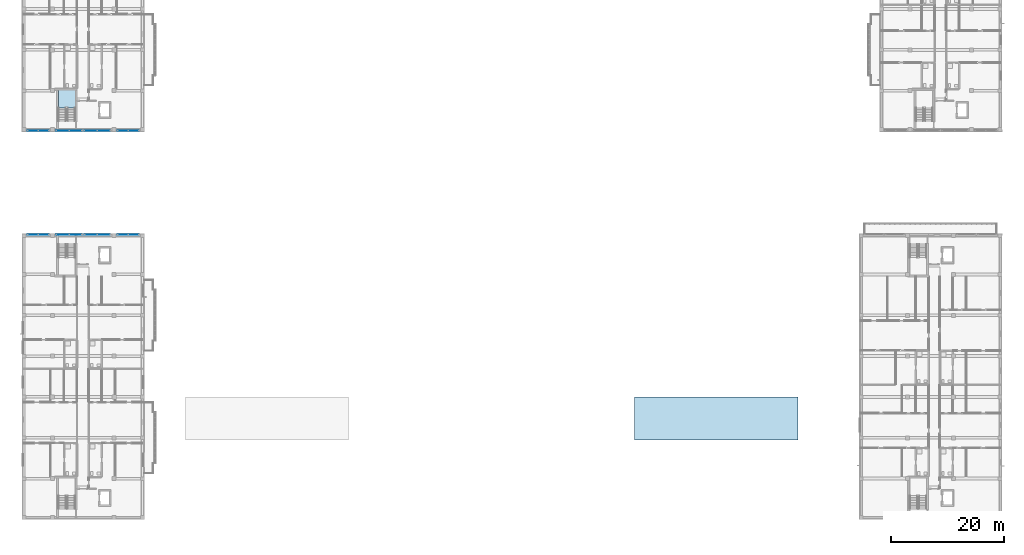
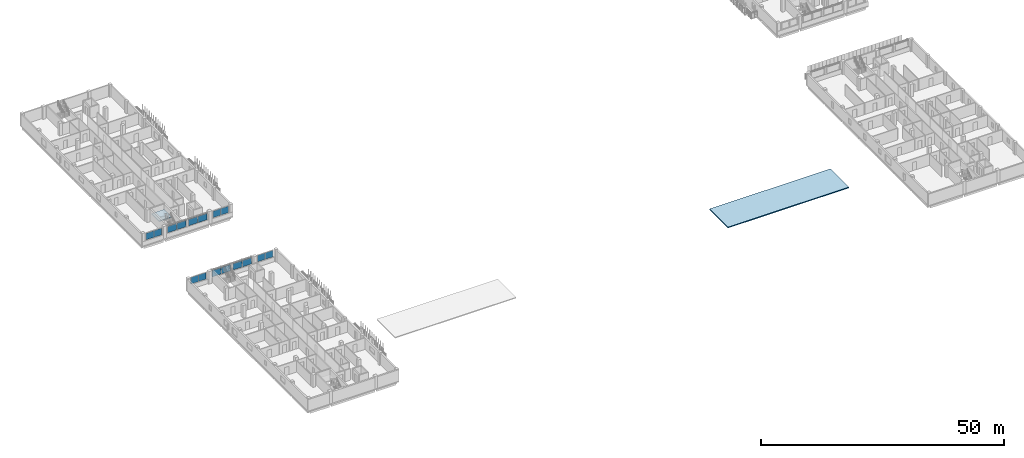
# One storey, part 21 of 51: 16 plates, 2 slabs, 9 elements without a shape of their own.
"""IFC4 building model written with IfcOpenShell, lengths in metres."""

from ifc_helpers import new_model, si_unit, derived_unit, direction, frame, origin, origin_2d, place, context, subcontext, project, spatial, polyline, rectangle, outline, extrude, material, layer, layer_set, type_object, element, aggregate, save


model = new_model("IFC4")

# Units and contexts
model_context = context("Model", 3, precision=1e-05, world=origin(), true_north=direction((0.0, 1.0)))
body_context = subcontext(model_context, "Body", "Model", "MODEL_VIEW")
ifc_project = project(units=[si_unit("LENGTHUNIT", "METRE"), si_unit("AREAUNIT", "SQUARE_METRE"), si_unit("VOLUMEUNIT", "CUBIC_METRE"), si_unit("PLANEANGLEUNIT", "RADIAN"), si_unit("MASSUNIT", "GRAM", prefix="KILO"), derived_unit("THERMALTRANSMITTANCEUNIT", [(si_unit("MASSUNIT", "GRAM", prefix="KILO"), 1), (si_unit("TIMEUNIT", "SECOND"), -3), (si_unit("THERMODYNAMICTEMPERATUREUNIT", "KELVIN"), -1)])], contexts=[model_context])

# Site, building, storey
site_placement = place(None, origin())
site = spatial("IfcSite", under=ifc_project, at=site_placement, CompositionType="ELEMENT")
building_placement = place(site_placement, origin())
building = spatial("IfcBuilding", under=site, at=building_placement, Name="Ochrekiln Boulevard Commons", CompositionType="ELEMENT")
storey_placement = place(building_placement, frame((0.0, 0.0, 15.22509765625)))
storey = spatial("IfcBuildingStorey", under=building, at=storey_placement, Name="L04", CompositionType="ELEMENT", Elevation=15.22509765625)

# Curtain wall, plates
ifc_material_1 = material(Name="Bronze-anodized extruded aluminium 6063-T6", Category="aluminium")
ifc_layer_1 = layer(ifc_material_1, 0.172119140625)
ifc_layer_set_1 = layer_set([ifc_layer_1], Name="Bronze-anodized extruded aluminium 6063-T6")
curtain_wall_type = type_object("IfcCurtainWallType", Name="CW-GABLE-A", PredefinedType="USERDEFINED", material=ifc_layer_set_1)
curtain_wall_1_placement = place(storey_placement, origin())
curtain_wall_1 = element("IfcCurtainWall", 1, at=curtain_wall_1_placement, inside=storey, type_object=curtain_wall_type, Name="Block A L04 Courtyard Glazed Gable Curtain Wall 4", ObjectType="GLAZED CURTAIN WALL", PredefinedType="USERDEFINED")
ifc_material_2 = material(Name="Spectrally selective low-E insulated glazing", Category="glass")
ifc_layer_2 = layer(ifc_material_2, 0.02392578125)
ifc_layer_set_2 = layer_set([ifc_layer_2], Name="Spectrally selective low-E insulated glazing")
plate_type_1 = type_object("IfcPlateType", Name="CWP-GLZ-1", PredefinedType="CURTAIN_PANEL", material=ifc_layer_set_2)
plate_1_placement = place(storey_placement, frame((17.788818359375, 68.56005859375, 1.175048828125), z_axis=(0.0, 0.0, 1.0), x_axis=(1.0, 0.0, 0.0)))
plate_1 = element("IfcPlate", 2, at=plate_1_placement, type_object=plate_type_1, Name="CW-01 panel 1.1", PredefinedType="CURTAIN_PANEL", context=body_context, shape_type="SweptSolid", body=[
    extrude(rectangle(XDim=1.8076171875, YDim=0.02392578125, at=origin_2d()), origin(), (0.0, 0.0, 1.0), 1.64990234375),
])
plate_2_placement = place(storey_placement, frame((19.6611328125, 68.56005859375, 1.175048828125), z_axis=(0.0, 0.0, 1.0), x_axis=(1.0, 0.0, 0.0)))
plate_2 = element("IfcPlate", 3, at=plate_2_placement, type_object=plate_type_1, Name="CW-01 panel 2.1", PredefinedType="CURTAIN_PANEL", context=body_context, shape_type="SweptSolid", body=[
    extrude(rectangle(XDim=1.8076171875, YDim=0.02392578125, at=origin_2d()), origin(), (0.0, 0.0, 1.0), 1.64990234375),
])
aggregate(curtain_wall_1, [plate_1, plate_2])

curtain_wall_2_placement = place(storey_placement, origin())
curtain_wall_2 = element("IfcCurtainWall", 4, at=curtain_wall_2_placement, inside=storey, type_object=curtain_wall_type, Name="Block D L04 Courtyard Glazed Gable Curtain Wall 4", ObjectType="GLAZED CURTAIN WALL", PredefinedType="USERDEFINED")
plate_3_placement = place(storey_placement, frame((17.788818359375, 50.217529296875, 1.175048828125), z_axis=(0.0, 0.0, 1.0), x_axis=(1.0, 0.0, 0.0)))
plate_3 = element("IfcPlate", 5, at=plate_3_placement, type_object=plate_type_1, Name="CW-01 panel 1.1", PredefinedType="CURTAIN_PANEL", context=body_context, shape_type="SweptSolid", body=[
    extrude(rectangle(XDim=1.8076171875, YDim=0.02392578125, at=origin_2d()), origin(), (0.0, 0.0, 1.0), 1.64990234375),
])
plate_4_placement = place(storey_placement, frame((19.6611328125, 50.217529296875, 1.175048828125), z_axis=(0.0, 0.0, 1.0), x_axis=(1.0, 0.0, 0.0)))
plate_4 = element("IfcPlate", 6, at=plate_4_placement, type_object=plate_type_1, Name="CW-01 panel 2.1", PredefinedType="CURTAIN_PANEL", context=body_context, shape_type="SweptSolid", body=[
    extrude(rectangle(XDim=1.8076171875, YDim=0.02392578125, at=origin_2d()), origin(), (0.0, 0.0, 1.0), 1.64990234375),
])
aggregate(curtain_wall_2, [plate_3, plate_4])

curtain_wall_3_placement = place(storey_placement, origin())
curtain_wall_3 = element("IfcCurtainWall", 7, at=curtain_wall_3_placement, inside=storey, type_object=curtain_wall_type, Name="Block A L04 Courtyard Glazed Gable Curtain Wall 1", ObjectType="GLAZED CURTAIN WALL", PredefinedType="USERDEFINED")
ifc_layer_3 = layer(ifc_material_2, 0.030029296875)
ifc_layer_set_3 = layer_set([ifc_layer_3], Name="Spectrally selective low-E insulated glazing")
plate_type_2 = type_object("IfcPlateType", Name="CWP-GLZ-2", PredefinedType="CURTAIN_PANEL", material=ifc_layer_set_3)
plate_5_placement = place(storey_placement, frame((1.9375, 68.56005859375, 1.169921875), z_axis=(0.0, 0.0, 1.0), x_axis=(1.0, 0.0, 0.0)))
plate_5 = element("IfcPlate", 8, at=plate_5_placement, type_object=plate_type_2, Name="CW-01 panel 1.1", PredefinedType="CURTAIN_PANEL", context=body_context, shape_type="SweptSolid", body=[
    extrude(rectangle(XDim=1.81494140625, YDim=0.030029296875, at=origin_2d()), origin(), (0.0, 0.0, 1.0), 1.659912109375),
])
plate_6_placement = place(storey_placement, frame((3.8125, 68.56005859375, 1.169921875), z_axis=(0.0, 0.0, 1.0), x_axis=(1.0, 0.0, 0.0)))
plate_6 = element("IfcPlate", 9, at=plate_6_placement, type_object=plate_type_2, Name="CW-01 panel 2.1", PredefinedType="CURTAIN_PANEL", context=body_context, shape_type="SweptSolid", body=[
    extrude(rectangle(XDim=1.81494140625, YDim=0.030029296875, at=origin_2d()), origin(), (0.0, 0.0, 1.0), 1.659912109375),
])
aggregate(curtain_wall_3, [plate_5, plate_6])

curtain_wall_4_placement = place(storey_placement, origin())
curtain_wall_4 = element("IfcCurtainWall", 10, at=curtain_wall_4_placement, inside=storey, type_object=curtain_wall_type, Name="Block D L04 Courtyard Glazed Gable Curtain Wall 1", ObjectType="GLAZED CURTAIN WALL", PredefinedType="USERDEFINED")
plate_7_placement = place(storey_placement, frame((1.938720703125, 50.217529296875, 1.175048828125), z_axis=(0.0, 0.0, 1.0), x_axis=(1.0, 0.0, 0.0)))
plate_7 = element("IfcPlate", 11, at=plate_7_placement, type_object=plate_type_2, Name="CW-01 panel 1.1", PredefinedType="CURTAIN_PANEL", context=body_context, shape_type="SweptSolid", body=[
    extrude(rectangle(XDim=1.8076171875, YDim=0.030029296875, at=origin_2d()), origin(), (0.0, 0.0, 1.0), 1.64990234375),
])
plate_8_placement = place(storey_placement, frame((3.811279296875, 50.217529296875, 1.175048828125), z_axis=(0.0, 0.0, 1.0), x_axis=(1.0, 0.0, 0.0)))
plate_8 = element("IfcPlate", 12, at=plate_8_placement, type_object=plate_type_2, Name="CW-01 panel 2.1", PredefinedType="CURTAIN_PANEL", context=body_context, shape_type="SweptSolid", body=[
    extrude(rectangle(XDim=1.8076171875, YDim=0.030029296875, at=origin_2d()), origin(), (0.0, 0.0, 1.0), 1.64990234375),
])
aggregate(curtain_wall_4, [plate_7, plate_8])

curtain_wall_5_placement = place(storey_placement, origin())
curtain_wall_5 = element("IfcCurtainWall", 13, at=curtain_wall_5_placement, inside=storey, type_object=curtain_wall_type, Name="Block A L04 Courtyard Glazed Gable Curtain Wall 2", ObjectType="GLAZED CURTAIN WALL", PredefinedType="USERDEFINED")
ifc_layer_4 = layer(ifc_material_2, 0.035888671875)
ifc_layer_set_4 = layer_set([ifc_layer_4], Name="Spectrally selective low-E insulated glazing")
plate_type_3 = type_object("IfcPlateType", Name="CWP-GLZ-3", PredefinedType="CURTAIN_PANEL", material=ifc_layer_set_4)
plate_9_placement = place(storey_placement, frame((7.18115234375, 68.56005859375, 1.175048828125), z_axis=(0.0, 0.0, 1.0), x_axis=(1.0, 0.0, 0.0)))
plate_9 = element("IfcPlate", 14, at=plate_9_placement, type_object=plate_type_3, Name="CW-01 panel 1.1", PredefinedType="CURTAIN_PANEL", context=body_context, shape_type="SweptSolid", body=[
    extrude(rectangle(XDim=2.1923828125, YDim=0.035888671875, at=origin_2d()), origin(), (0.0, 0.0, 1.0), 1.64990234375),
])
plate_10_placement = place(storey_placement, frame((9.438720703125, 68.56005859375, 1.175048828125), z_axis=(0.0, 0.0, 1.0), x_axis=(1.0, 0.0, 0.0)))
plate_10 = element("IfcPlate", 15, at=plate_10_placement, type_object=plate_type_3, Name="CW-01 panel 2.1", PredefinedType="CURTAIN_PANEL", context=body_context, shape_type="SweptSolid", body=[
    extrude(rectangle(XDim=2.1923828125, YDim=0.035888671875, at=origin_2d()), origin(), (0.0, 0.0, 1.0), 1.64990234375),
])
aggregate(curtain_wall_5, [plate_9, plate_10])

curtain_wall_6_placement = place(storey_placement, origin())
curtain_wall_6 = element("IfcCurtainWall", 16, at=curtain_wall_6_placement, inside=storey, type_object=curtain_wall_type, Name="Block D L04 Courtyard Glazed Gable Curtain Wall 2", ObjectType="GLAZED CURTAIN WALL", PredefinedType="USERDEFINED")
plate_11_placement = place(storey_placement, frame((7.18115234375, 50.217529296875, 1.175048828125), z_axis=(0.0, 0.0, 1.0), x_axis=(1.0, 0.0, 0.0)))
plate_11 = element("IfcPlate", 17, at=plate_11_placement, type_object=plate_type_3, Name="CW-01 panel 1.1", PredefinedType="CURTAIN_PANEL", context=body_context, shape_type="SweptSolid", body=[
    extrude(rectangle(XDim=2.1923828125, YDim=0.035888671875, at=origin_2d()), origin(), (0.0, 0.0, 1.0), 1.64990234375),
])
plate_12_placement = place(storey_placement, frame((9.438720703125, 50.217529296875, 1.175048828125), z_axis=(0.0, 0.0, 1.0), x_axis=(1.0, 0.0, 0.0)))
plate_12 = element("IfcPlate", 18, at=plate_12_placement, type_object=plate_type_3, Name="CW-01 panel 2.1", PredefinedType="CURTAIN_PANEL", context=body_context, shape_type="SweptSolid", body=[
    extrude(rectangle(XDim=2.1923828125, YDim=0.035888671875, at=origin_2d()), origin(), (0.0, 0.0, 1.0), 1.64990234375),
])
aggregate(curtain_wall_6, [plate_11, plate_12])

curtain_wall_7_placement = place(storey_placement, origin())
curtain_wall_7 = element("IfcCurtainWall", 19, at=curtain_wall_7_placement, inside=storey, type_object=curtain_wall_type, Name="Block A L04 Courtyard Glazed Gable Curtain Wall 3", ObjectType="GLAZED CURTAIN WALL", PredefinedType="USERDEFINED")
ifc_layer_5 = layer(ifc_material_2, 0.0419921875)
ifc_layer_set_5 = layer_set([ifc_layer_5], Name="Spectrally selective low-E insulated glazing")
plate_type_4 = type_object("IfcPlateType", Name="CWP-GLZ-4", PredefinedType="CURTAIN_PANEL", material=ifc_layer_set_5)
plate_13_placement = place(storey_placement, frame((12.159912109375, 68.56005859375, 1.169921875), z_axis=(0.0, 0.0, 1.0), x_axis=(1.0, 0.0, 0.0)))
plate_13 = element("IfcPlate", 20, at=plate_13_placement, type_object=plate_type_4, Name="CW-01 panel 1.1", PredefinedType="CURTAIN_PANEL", context=body_context, shape_type="SweptSolid", body=[
    extrude(rectangle(XDim=2.199951171875, YDim=0.0419921875, at=origin_2d()), origin(), (0.0, 0.0, 1.0), 1.659912109375),
])
plate_14_placement = place(storey_placement, frame((14.419921875, 68.56005859375, 1.169921875), z_axis=(0.0, 0.0, 1.0), x_axis=(1.0, 0.0, 0.0)))
plate_14 = element("IfcPlate", 21, at=plate_14_placement, type_object=plate_type_4, Name="CW-01 panel 2.1", PredefinedType="CURTAIN_PANEL", context=body_context, shape_type="SweptSolid", body=[
    extrude(rectangle(XDim=2.199951171875, YDim=0.0419921875, at=origin_2d()), origin(), (0.0, 0.0, 1.0), 1.659912109375),
])
aggregate(curtain_wall_7, [plate_13, plate_14])

curtain_wall_8_placement = place(storey_placement, origin())
curtain_wall_8 = element("IfcCurtainWall", 22, at=curtain_wall_8_placement, inside=storey, type_object=curtain_wall_type, Name="Block D L04 Courtyard Glazed Gable Curtain Wall 3", ObjectType="GLAZED CURTAIN WALL", PredefinedType="USERDEFINED")
plate_15_placement = place(storey_placement, frame((12.1611328125, 50.217529296875, 1.175048828125), z_axis=(0.0, 0.0, 1.0), x_axis=(1.0, 0.0, 0.0)))
plate_15 = element("IfcPlate", 23, at=plate_15_placement, type_object=plate_type_4, Name="CW-01 panel 1.1", PredefinedType="CURTAIN_PANEL", context=body_context, shape_type="SweptSolid", body=[
    extrude(rectangle(XDim=2.1923828125, YDim=0.0419921875, at=origin_2d()), origin(), (0.0, 0.0, 1.0), 1.64990234375),
])
plate_16_placement = place(storey_placement, frame((14.418701171875, 50.217529296875, 1.175048828125), z_axis=(0.0, 0.0, 1.0), x_axis=(1.0, 0.0, 0.0)))
plate_16 = element("IfcPlate", 24, at=plate_16_placement, type_object=plate_type_4, Name="CW-01 panel 2.1", PredefinedType="CURTAIN_PANEL", context=body_context, shape_type="SweptSolid", body=[
    extrude(rectangle(XDim=2.1923828125, YDim=0.0419921875, at=origin_2d()), origin(), (0.0, 0.0, 1.0), 1.64990234375),
])
aggregate(curtain_wall_8, [plate_15, plate_16])

# Stair, slab
ifc_material_3 = material(Name="Concrete C35/45", Category="concrete")
stair_type = type_object("IfcStairType", Name="STR-DL-315", PredefinedType="TWO_STRAIGHT_RUN_STAIR", material=ifc_material_3)
stair_placement = place(storey_placement, origin())
stair = element("IfcStair", 25, at=stair_placement, inside=storey, type_object=stair_type, Name="L04 Enclosed Exit Stair ST-A1", PredefinedType="TWO_STRAIGHT_RUN_STAIR")
ifc_layer_6 = layer(ifc_material_3, 0.199951171875)
ifc_layer_set_6 = layer_set([ifc_layer_6], Name="Concrete C35/45")
slab_type_1 = type_object("IfcSlabType", Name="SLB-LND-200", PredefinedType="LANDING", material=ifc_layer_set_6)
slab_1_placement = place(storey_placement, frame((0.0, 0.0, 1.375)))
slab_1 = element("IfcSlab", 26, at=slab_1_placement, type_object=slab_type_1, Name="ST-A1 landing 1", PredefinedType="LANDING", context=body_context, shape_type="SweptSolid", body=[
    extrude(outline(polyline([(9.39990234375, 72.590087890625), (9.39990234375, 75.719970703125), (6.39990234375, 75.719970703125), (6.39990234375, 72.590087890625), (9.39990234375, 72.590087890625)])), origin(), (0.0, 0.0, 1.0), 0.199951171875),
])
aggregate(stair, [slab_1])

# Slab
ifc_layer_7 = layer(ifc_material_3, 0.239990234375)
ifc_layer_set_7 = layer_set([ifc_layer_7], Name="Concrete C35/45")
slab_type_2 = type_object("IfcSlabType", Name="SLB-TERR-240", PredefinedType="ROOF", material=ifc_layer_set_7)
slab_2_placement = place(storey_placement, frame((0.0, 0.0, -0.239990234375)))
element("IfcSlab", 27, at=slab_2_placement, inside=storey, type_object=slab_type_2, Name="East Boulevard Arcade Roof Pavilion Cap Slab", PredefinedType="ROOF", context=body_context, shape_type="SweptSolid", body=[
    extrude(outline(polyline([(108.0, 14.0), (136.800048828125, 14.0), (136.800048828125, 21.60009765625), (108.0, 21.60009765625), (108.0, 14.0)])), origin(), (0.0, 0.0, 1.0), 0.239990234375),
])

save(model, "model.ifc")
